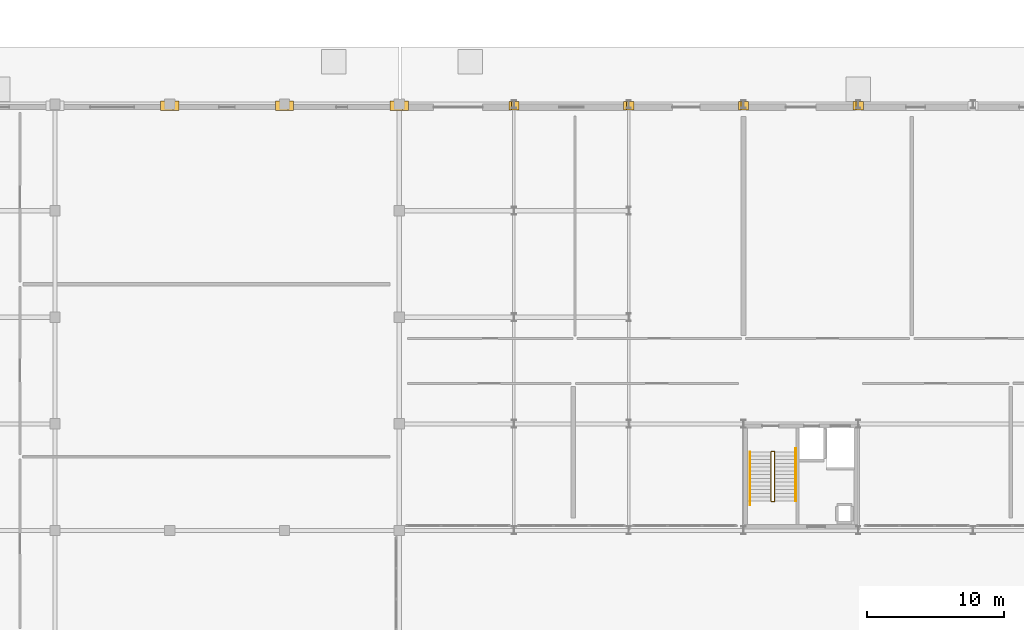
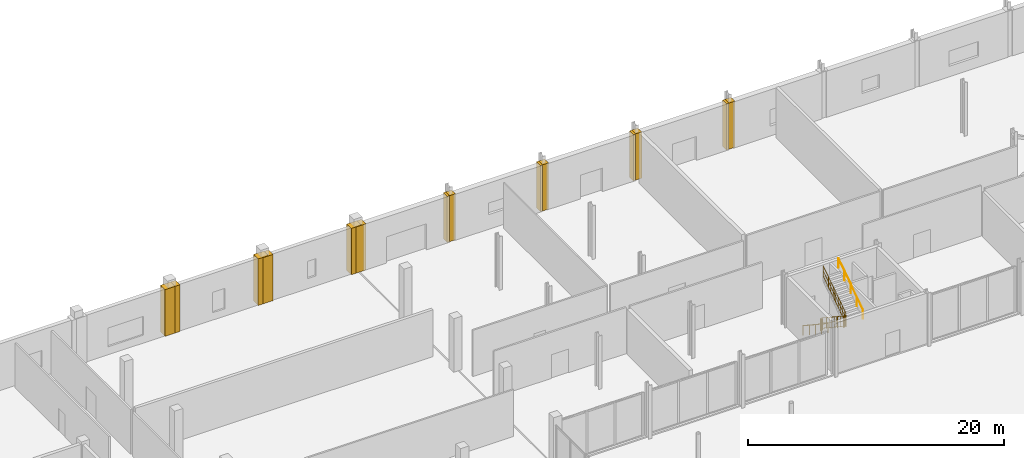
# One storey, part 73 of 80: 14 coverings, 6 railings.
"""IFC4 building model written with IfcOpenShell, lengths in metres."""

from ifc_helpers import new_model, si_unit, direction, frame, origin, origin_2d, place, context, subcontext, project, spatial, polyline, circle, outline, extrude, material, layer, layer_set, type_object, element, save


model = new_model("IFC4")

# Units and contexts
model_context = context("Model", 3, precision=1e-05, world=origin(), true_north=direction((0.0, 1.0)))
body_context = subcontext(model_context, "Body", "Model", "MODEL_VIEW")
ifc_project = project(units=[si_unit("LENGTHUNIT", "METRE"), si_unit("AREAUNIT", "SQUARE_METRE"), si_unit("VOLUMEUNIT", "CUBIC_METRE"), si_unit("PLANEANGLEUNIT", "RADIAN"), si_unit("MASSUNIT", "GRAM", prefix="KILO")], contexts=[model_context])

# Site, building, storey
site_placement = place(None, origin())
site = spatial("IfcSite", under=ifc_project, at=site_placement, CompositionType="ELEMENT")
building_placement = place(site_placement, origin())
building = spatial("IfcBuilding", under=site, at=building_placement, Name="Nabrawat Pavilion Hospital", CompositionType="ELEMENT")
storey_placement = place(building_placement, origin())
storey = spatial("IfcBuildingStorey", under=building, at=storey_placement, Name="L00", CompositionType="ELEMENT", Elevation=0.0)

# Coverings
ifc_material_1 = material(Name="Precast concrete C40/50", Category="concrete")
ifc_layer_1 = layer(ifc_material_1, 0.360107421875, Name="Precast concrete C40/50")
ifc_layer_set_1 = layer_set([ifc_layer_1], Name="Precast concrete C40/50")
covering_type = type_object("IfcCoveringType", Name="Architectural Precast Column-Jamb Closure Reveal", PredefinedType="CLADDING", material=ifc_layer_set_1)
covering_1_placement = place(storey_placement, origin())
element("IfcCovering", 1, at=covering_1_placement, inside=storey, type_object=covering_type, Name="L00 Precast Facade Column-Jamb Weatherseal Closure 0054", PredefinedType="CLADDING", context=body_context, shape_type="SweptSolid", body=[
    extrude(outline(polyline([(42.24365234375, 116.5361328125), (42.24365234375, 117.243896484375), (41.331298828125, 117.243896484375), (41.331298828125, 116.5361328125), (42.24365234375, 116.5361328125)])), origin(), (0.0, 0.0, 1.0), 4.449951171875),
])
covering_2_placement = place(storey_placement, origin())
element("IfcCovering", 2, at=covering_2_placement, inside=storey, type_object=covering_type, Name="L00 Precast Facade Column-Jamb Weatherseal Closure 0055", PredefinedType="CLADDING", context=body_context, shape_type="SweptSolid", body=[
    extrude(outline(polyline([(42.668701171875, 116.5361328125), (42.668701171875, 117.243896484375), (41.75634765625, 117.243896484375), (41.75634765625, 116.5361328125), (42.668701171875, 116.5361328125)])), origin(), (0.0, 0.0, 1.0), 4.449951171875),
])
covering_3_placement = place(storey_placement, origin())
element("IfcCovering", 3, at=covering_3_placement, inside=storey, type_object=covering_type, Name="L00 Precast Facade Column-Jamb Weatherseal Closure 0056", PredefinedType="CLADDING", context=body_context, shape_type="SweptSolid", body=[
    extrude(outline(polyline([(50.643798828125, 116.5361328125), (50.643798828125, 117.243896484375), (49.731201171875, 117.243896484375), (49.731201171875, 116.5361328125), (50.643798828125, 116.5361328125)])), origin(), (0.0, 0.0, 1.0), 4.449951171875),
])
covering_4_placement = place(storey_placement, origin())
element("IfcCovering", 4, at=covering_4_placement, inside=storey, type_object=covering_type, Name="L00 Precast Facade Column-Jamb Weatherseal Closure 0057", PredefinedType="CLADDING", context=body_context, shape_type="SweptSolid", body=[
    extrude(outline(polyline([(51.06884765625, 116.5361328125), (51.06884765625, 117.243896484375), (50.15625, 117.243896484375), (50.15625, 116.5361328125), (51.06884765625, 116.5361328125)])), origin(), (0.0, 0.0, 1.0), 4.409912109375),
])
covering_5_placement = place(storey_placement, origin())
element("IfcCovering", 5, at=covering_5_placement, inside=storey, type_object=covering_type, Name="L00 Precast Facade Column-Jamb Weatherseal Closure 0058", PredefinedType="CLADDING", context=body_context, shape_type="SweptSolid", body=[
    extrude(outline(polyline([(59.043701171875, 116.5361328125), (59.043701171875, 117.243896484375), (58.13134765625, 117.243896484375), (58.13134765625, 116.5361328125), (59.043701171875, 116.5361328125)])), origin(), (0.0, 0.0, 1.0), 4.409912109375),
])
covering_6_placement = place(storey_placement, origin())
element("IfcCovering", 6, at=covering_6_placement, inside=storey, type_object=covering_type, Name="L00 Precast Facade Column-Jamb Weatherseal Closure 0083", PredefinedType="CLADDING", context=body_context, shape_type="SweptSolid", body=[
    extrude(outline(polyline([(59.46875, 116.5361328125), (59.46875, 117.243896484375), (58.55615234375, 117.243896484375), (58.55615234375, 116.5361328125), (59.46875, 116.5361328125)])), origin(), (0.0, 0.0, 1.0), 4.39990234375),
])
covering_7_placement = place(storey_placement, origin())
element("IfcCovering", 7, at=covering_7_placement, inside=storey, type_object=covering_type, Name="L00 Precast Facade Column-Jamb Weatherseal Closure 0084", PredefinedType="CLADDING", context=body_context, shape_type="SweptSolid", body=[
    extrude(outline(polyline([(67.3798828125, 116.5849609375), (67.3798828125, 117.195068359375), (66.820068359375, 117.195068359375), (66.820068359375, 116.5849609375), (67.3798828125, 116.5849609375)])), origin(), (0.0, 0.0, 1.0), 4.39990234375),
])
covering_8_placement = place(storey_placement, origin())
element("IfcCovering", 8, at=covering_8_placement, inside=storey, type_object=covering_type, Name="L00 Precast Facade Column-Jamb Weatherseal Closure 0085", PredefinedType="CLADDING", context=body_context, shape_type="SweptSolid", body=[
    extrude(outline(polyline([(67.580078125, 116.5849609375), (67.580078125, 117.195068359375), (67.02001953125, 117.195068359375), (67.02001953125, 116.5849609375), (67.580078125, 116.5849609375)])), origin(), (0.0, 0.0, 1.0), 4.39990234375),
])
covering_9_placement = place(storey_placement, origin())
element("IfcCovering", 9, at=covering_9_placement, inside=storey, type_object=covering_type, Name="L00 Precast Facade Column-Jamb Weatherseal Closure 0086", PredefinedType="CLADDING", context=body_context, shape_type="SweptSolid", body=[
    extrude(outline(polyline([(75.780029296875, 116.5849609375), (75.780029296875, 117.195068359375), (75.219970703125, 117.195068359375), (75.219970703125, 116.5849609375), (75.780029296875, 116.5849609375)])), origin(), (0.0, 0.0, 1.0), 4.39990234375),
])
covering_10_placement = place(storey_placement, origin())
element("IfcCovering", 10, at=covering_10_placement, inside=storey, type_object=covering_type, Name="L00 Precast Facade Column-Jamb Weatherseal Closure 0087", PredefinedType="CLADDING", context=body_context, shape_type="SweptSolid", body=[
    extrude(outline(polyline([(75.97998046875, 116.5849609375), (75.97998046875, 117.195068359375), (75.419921875, 117.195068359375), (75.419921875, 116.5849609375), (75.97998046875, 116.5849609375)])), origin(), (0.0, 0.0, 1.0), 4.39990234375),
])
covering_11_placement = place(storey_placement, origin())
element("IfcCovering", 11, at=covering_11_placement, inside=storey, type_object=covering_type, Name="L00 Precast Facade Column-Jamb Weatherseal Closure 0088", PredefinedType="CLADDING", context=body_context, shape_type="SweptSolid", body=[
    extrude(outline(polyline([(84.179931640625, 116.5849609375), (84.179931640625, 117.195068359375), (83.6201171875, 117.195068359375), (83.6201171875, 116.5849609375), (84.179931640625, 116.5849609375)])), origin(), (0.0, 0.0, 1.0), 4.39990234375),
])
covering_12_placement = place(storey_placement, origin())
element("IfcCovering", 12, at=covering_12_placement, inside=storey, type_object=covering_type, Name="L00 Precast Facade Column-Jamb Weatherseal Closure 0089", PredefinedType="CLADDING", context=body_context, shape_type="SweptSolid", body=[
    extrude(outline(polyline([(84.3798828125, 116.5849609375), (84.3798828125, 117.195068359375), (83.820068359375, 117.195068359375), (83.820068359375, 116.5849609375), (84.3798828125, 116.5849609375)])), origin(), (0.0, 0.0, 1.0), 4.409912109375),
])
covering_13_placement = place(storey_placement, origin())
element("IfcCovering", 13, at=covering_13_placement, inside=storey, type_object=covering_type, Name="L00 Precast Facade Column-Jamb Weatherseal Closure 0090", PredefinedType="CLADDING", context=body_context, shape_type="SweptSolid", body=[
    extrude(outline(polyline([(92.580078125, 116.5849609375), (92.580078125, 117.195068359375), (92.02001953125, 117.195068359375), (92.02001953125, 116.5849609375), (92.580078125, 116.5849609375)])), origin(), (0.0, 0.0, 1.0), 4.409912109375),
])
covering_14_placement = place(storey_placement, origin())
element("IfcCovering", 14, at=covering_14_placement, inside=storey, type_object=covering_type, Name="L00 Precast Facade Column-Jamb Weatherseal Closure 0091", PredefinedType="CLADDING", context=body_context, shape_type="SweptSolid", body=[
    extrude(outline(polyline([(92.780029296875, 116.5849609375), (92.780029296875, 117.195068359375), (92.219970703125, 117.195068359375), (92.219970703125, 116.5849609375), (92.780029296875, 116.5849609375)])), origin(), (0.0, 0.0, 1.0), 4.409912109375),
])

# Railings
ifc_material_2 = material(Name="Stainless Steel 316", Category="steel")
ifc_layer_2 = layer(ifc_material_2, 0.050048828125, Name="Stainless Steel 316")
ifc_layer_set_2 = layer_set([ifc_layer_2], Name="Stainless Steel 316")
railing_type_1 = type_object("IfcRailingType", Name="Stair Open-Well Safety Guardrail 1100", PredefinedType="GUARDRAIL", material=ifc_layer_set_2)
railing_1_placement = place(storey_placement, frame((86.02490234375, 91.530029296875, 0.18212890625)))
element("IfcRailing", 15, at=railing_1_placement, inside=storey, type_object=railing_type_1, Name="L00 ST-03 stair guard 1", PredefinedType="GUARDRAIL", context=body_context, shape_type="SweptSolid", body=[
    extrude(circle(Radius=0.02392578125, at=origin_2d()), frame((0.0, 0.0, 1.076171875), z_axis=(0.0, -0.833702089047, 0.552214475289), x_axis=(1.0, 0.0, 0.0)), (0.0, 0.0, 1.0), 4.2880859375),
    extrude(circle(Radius=0.02392578125, at=origin_2d()), frame((0.0, 0.0, 0.10009765625), z_axis=(0.0, -0.833702089047, 0.552214475289), x_axis=(1.0, 0.0, 0.0)), (0.0, 0.0, 1.0), 4.2880859375),
    extrude(circle(Radius=0.02392578125, at=origin_2d()), frame((0.0, 0.0, 0.60498046875), z_axis=(0.0, -0.833702089047, 0.552214475289), x_axis=(1.0, 0.0, 0.0)), (0.0, 0.0, 1.0), 4.2880859375),
    extrude(circle(Radius=0.008056640625, at=origin_2d()), frame((0.0, -0.19873046875, 0.2314453125)), (0.0, 0.0, 1.0), 0.951904296875),
    extrude(circle(Radius=0.008056640625, at=origin_2d()), frame((0.0, -0.397216796875, 0.363037109375)), (0.0, 0.0, 1.0), 0.951904296875),
    extrude(circle(Radius=0.008056640625, at=origin_2d()), frame((0.0, -0.595703125, 0.49462890625)), (0.0, 0.0, 1.0), 0.951904296875),
    extrude(circle(Radius=0.008056640625, at=origin_2d()), frame((0.0, -0.79443359375, 0.626220703125)), (0.0, 0.0, 1.0), 0.951904296875),
    extrude(circle(Radius=0.008056640625, at=origin_2d()), frame((0.0, -0.9931640625, 0.7578125)), (0.0, 0.0, 1.0), 0.951904296875),
    extrude(circle(Radius=0.008056640625, at=origin_2d()), frame((0.0, -1.191650390625, 0.889404296875)), (0.0, 0.0, 1.0), 0.951904296875),
    extrude(circle(Radius=0.008056640625, at=origin_2d()), frame((0.0, -1.39013671875, 1.020751953125)), (0.0, 0.0, 1.0), 0.951904296875),
    extrude(circle(Radius=0.008056640625, at=origin_2d()), frame((0.0, -1.5888671875, 1.15234375)), (0.0, 0.0, 1.0), 0.951904296875),
    extrude(circle(Radius=0.008056640625, at=origin_2d()), frame((0.0, -1.986083984375, 1.41552734375)), (0.0, 0.0, 1.0), 0.951904296875),
    extrude(circle(Radius=0.008056640625, at=origin_2d()), frame((0.0, -2.1845703125, 1.547119140625)), (0.0, 0.0, 1.0), 0.951904296875),
    extrude(circle(Radius=0.008056640625, at=origin_2d()), frame((0.0, -2.38330078125, 1.6787109375)), (0.0, 0.0, 1.0), 0.951904296875),
    extrude(circle(Radius=0.008056640625, at=origin_2d()), frame((0.0, -2.58203125, 1.81005859375)), (0.0, 0.0, 1.0), 0.951904296875),
    extrude(circle(Radius=0.008056640625, at=origin_2d()), frame((0.0, -2.780517578125, 1.941650390625)), (0.0, 0.0, 1.0), 0.951904296875),
    extrude(circle(Radius=0.008056640625, at=origin_2d()), frame((0.0, -2.97900390625, 2.0732421875)), (0.0, 0.0, 1.0), 0.951904296875),
    extrude(circle(Radius=0.008056640625, at=origin_2d()), frame((0.0, -3.177734375, 2.204833984375)), (0.0, 0.0, 1.0), 0.951904296875),
    extrude(circle(Radius=0.008056640625, at=origin_2d()), frame((0.0, -3.37646484375, 2.33642578125)), (0.0, 0.0, 1.0), 0.951904296875),
    extrude(circle(Radius=0.02099609375, at=origin_2d()), origin(), (0.0, 0.0, 1.0), 1.052001953125),
    extrude(circle(Radius=0.02099609375, at=origin_2d()), frame((0.0, -0.893798828125, 0.592041015625)), (0.0, 0.0, 1.0), 1.052001953125),
    extrude(circle(Radius=0.02099609375, at=origin_2d()), frame((0.0, -1.78759765625, 1.18408203125)), (0.0, 0.0, 1.0), 1.052001953125),
    extrude(circle(Radius=0.02099609375, at=origin_2d()), frame((0.0, -2.68115234375, 1.77587890625)), (0.0, 0.0, 1.0), 1.052001953125),
    extrude(circle(Radius=0.02099609375, at=origin_2d()), frame((0.0, -3.574951171875, 2.367919921875)), (0.0, 0.0, 1.0), 1.052001953125),
])
railing_2_placement = place(storey_placement, frame((86.050048828125, 87.905029296875, 2.550048828125)))
element("IfcRailing", 16, at=railing_2_placement, inside=storey, type_object=railing_type_1, Name="L00 ST-03 stair guard 2", PredefinedType="GUARDRAIL", context=body_context, shape_type="SweptSolid", body=[
    extrude(circle(Radius=0.02392578125, at=origin_2d()), frame((0.0, 0.0, 1.076171875), z_axis=(1.0, 0.0, 0.0), x_axis=(0.0, 1.0, 0.0)), (0.0, 0.0, 1.0), 0.199951171875),
    extrude(circle(Radius=0.02392578125, at=origin_2d()), frame((0.0, 0.0, 0.10009765625), z_axis=(1.0, 0.0, 0.0), x_axis=(0.0, 1.0, 0.0)), (0.0, 0.0, 1.0), 0.199951171875),
    extrude(circle(Radius=0.02392578125, at=origin_2d()), frame((0.0, 0.0, 0.60498046875), z_axis=(1.0, 0.0, 0.0), x_axis=(0.0, 1.0, 0.0)), (0.0, 0.0, 1.0), 0.199951171875),
    extrude(circle(Radius=0.008056640625, at=origin_2d()), frame((0.10009765625, 0.0, 0.10009765625)), (0.0, 0.0, 1.0), 0.951904296875),
    extrude(circle(Radius=0.02099609375, at=origin_2d()), origin(), (0.0, 0.0, 1.0), 1.052001953125),
    extrude(circle(Radius=0.02099609375, at=origin_2d()), frame((0.199951171875, 0.0, 0.0)), (0.0, 0.0, 1.0), 1.052001953125),
])
railing_3_placement = place(storey_placement, frame((86.27490234375, 87.955078125, 2.732177734375)))
element("IfcRailing", 17, at=railing_3_placement, inside=storey, type_object=railing_type_1, Name="L00 ST-03 stair guard 3", PredefinedType="GUARDRAIL", context=body_context, shape_type="SweptSolid", body=[
    extrude(circle(Radius=0.02392578125, at=origin_2d()), frame((0.0, 0.0, 1.076171875), z_axis=(0.0, 0.833702089047, 0.552214475289), x_axis=(-1.0, 0.0, 0.0)), (0.0, 0.0, 1.0), 4.2880859375),
    extrude(circle(Radius=0.02392578125, at=origin_2d()), frame((0.0, 0.0, 0.10009765625), z_axis=(0.0, 0.833702089047, 0.552214475289), x_axis=(-1.0, 0.0, 0.0)), (0.0, 0.0, 1.0), 4.2880859375),
    extrude(circle(Radius=0.02392578125, at=origin_2d()), frame((0.0, 0.0, 0.60498046875), z_axis=(0.0, 0.833702089047, 0.552214475289), x_axis=(-1.0, 0.0, 0.0)), (0.0, 0.0, 1.0), 4.2880859375),
    extrude(circle(Radius=0.008056640625, at=origin_2d()), frame((0.0, 0.19873046875, 0.2314453125)), (0.0, 0.0, 1.0), 0.951904296875),
    extrude(circle(Radius=0.008056640625, at=origin_2d()), frame((0.0, 0.397216796875, 0.363037109375)), (0.0, 0.0, 1.0), 0.951904296875),
    extrude(circle(Radius=0.008056640625, at=origin_2d()), frame((0.0, 0.595703125, 0.49462890625)), (0.0, 0.0, 1.0), 0.951904296875),
    extrude(circle(Radius=0.008056640625, at=origin_2d()), frame((0.0, 0.79443359375, 0.626220703125)), (0.0, 0.0, 1.0), 0.951904296875),
    extrude(circle(Radius=0.008056640625, at=origin_2d()), frame((0.0, 0.9931640625, 0.7578125)), (0.0, 0.0, 1.0), 0.951904296875),
    extrude(circle(Radius=0.008056640625, at=origin_2d()), frame((0.0, 1.191650390625, 0.889404296875)), (0.0, 0.0, 1.0), 0.951904296875),
    extrude(circle(Radius=0.008056640625, at=origin_2d()), frame((0.0, 1.39013671875, 1.020751953125)), (0.0, 0.0, 1.0), 0.951904296875),
    extrude(circle(Radius=0.008056640625, at=origin_2d()), frame((0.0, 1.5888671875, 1.15234375)), (0.0, 0.0, 1.0), 0.951904296875),
    extrude(circle(Radius=0.008056640625, at=origin_2d()), frame((0.0, 1.986083984375, 1.41552734375)), (0.0, 0.0, 1.0), 0.951904296875),
    extrude(circle(Radius=0.008056640625, at=origin_2d()), frame((0.0, 2.1845703125, 1.547119140625)), (0.0, 0.0, 1.0), 0.951904296875),
    extrude(circle(Radius=0.008056640625, at=origin_2d()), frame((0.0, 2.38330078125, 1.6787109375)), (0.0, 0.0, 1.0), 0.951904296875),
    extrude(circle(Radius=0.008056640625, at=origin_2d()), frame((0.0, 2.58203125, 1.81005859375)), (0.0, 0.0, 1.0), 0.951904296875),
    extrude(circle(Radius=0.008056640625, at=origin_2d()), frame((0.0, 2.780517578125, 1.941650390625)), (0.0, 0.0, 1.0), 0.951904296875),
    extrude(circle(Radius=0.008056640625, at=origin_2d()), frame((0.0, 2.97900390625, 2.0732421875)), (0.0, 0.0, 1.0), 0.951904296875),
    extrude(circle(Radius=0.008056640625, at=origin_2d()), frame((0.0, 3.177734375, 2.204833984375)), (0.0, 0.0, 1.0), 0.951904296875),
    extrude(circle(Radius=0.008056640625, at=origin_2d()), frame((0.0, 3.37646484375, 2.33642578125)), (0.0, 0.0, 1.0), 0.951904296875),
    extrude(circle(Radius=0.02099609375, at=origin_2d()), origin(), (0.0, 0.0, 1.0), 1.052001953125),
    extrude(circle(Radius=0.02099609375, at=origin_2d()), frame((0.0, 0.893798828125, 0.592041015625)), (0.0, 0.0, 1.0), 1.052001953125),
    extrude(circle(Radius=0.02099609375, at=origin_2d()), frame((0.0, 1.78759765625, 1.18408203125)), (0.0, 0.0, 1.0), 1.052001953125),
    extrude(circle(Radius=0.02099609375, at=origin_2d()), frame((0.0, 2.68115234375, 1.77587890625)), (0.0, 0.0, 1.0), 1.052001953125),
    extrude(circle(Radius=0.02099609375, at=origin_2d()), frame((0.0, 3.574951171875, 2.367919921875)), (0.0, 0.0, 1.0), 1.052001953125),
])
railing_4_placement = place(storey_placement, frame((86.050048828125, 91.580078125, 0.0)))
element("IfcRailing", 18, at=railing_4_placement, inside=storey, type_object=railing_type_1, Name="L00 ST-03 stair guard 4", PredefinedType="GUARDRAIL", context=body_context, shape_type="SweptSolid", body=[
    extrude(circle(Radius=0.02392578125, at=origin_2d()), frame((0.0, 0.0, 1.076171875), z_axis=(1.0, 0.0, 0.0), x_axis=(0.0, 1.0, 0.0)), (0.0, 0.0, 1.0), 0.199951171875),
    extrude(circle(Radius=0.02392578125, at=origin_2d()), frame((0.0, 0.0, 0.10009765625), z_axis=(1.0, 0.0, 0.0), x_axis=(0.0, 1.0, 0.0)), (0.0, 0.0, 1.0), 0.199951171875),
    extrude(circle(Radius=0.02392578125, at=origin_2d()), frame((0.0, 0.0, 0.60498046875), z_axis=(1.0, 0.0, 0.0), x_axis=(0.0, 1.0, 0.0)), (0.0, 0.0, 1.0), 0.199951171875),
    extrude(circle(Radius=0.008056640625, at=origin_2d()), frame((0.10009765625, 0.0, 0.10009765625)), (0.0, 0.0, 1.0), 0.951904296875),
    extrude(circle(Radius=0.02099609375, at=origin_2d()), origin(), (0.0, 0.0, 1.0), 1.052001953125),
    extrude(circle(Radius=0.02099609375, at=origin_2d()), frame((0.199951171875, 0.0, 0.0)), (0.0, 0.0, 1.0), 1.052001953125),
])
ifc_layer_3 = layer(ifc_material_2, 0.044921875, Name="Stainless Steel 316")
ifc_layer_set_3 = layer_set([ifc_layer_3], Name="Stainless Steel 316")
railing_type_2 = type_object("IfcRailingType", Name="Stair Pitch Continuous Handrail 920", PredefinedType="HANDRAIL", material=ifc_layer_set_3)
railing_5_placement = place(storey_placement, frame((84.47509765625, 91.530029296875, 0.18603515625)))
element("IfcRailing", 19, at=railing_5_placement, inside=storey, type_object=railing_type_2, Name="L00 ST-03 stair handrail 1", PredefinedType="HANDRAIL", context=body_context, shape_type="SweptSolid", body=[
    extrude(circle(Radius=0.02392578125, at=origin_2d()), frame((0.0, 0.0, 0.89599609375), z_axis=(0.0, -0.833713881912, 0.552196670677), x_axis=(1.0, 0.0, 0.0)), (0.0, 0.0, 1.0), 4.617919921875),
    extrude(circle(Radius=0.02099609375, at=origin_2d()), origin(), (0.0, 0.0, 1.0), 0.871826171875),
    extrude(circle(Radius=0.02099609375, at=origin_2d()), frame((0.0, -0.96240234375, 0.637451171875)), (0.0, 0.0, 1.0), 0.871826171875),
    extrude(circle(Radius=0.02099609375, at=origin_2d()), frame((0.0, -1.925048828125, 1.27490234375)), (0.0, 0.0, 1.0), 0.871826171875),
    extrude(circle(Radius=0.02099609375, at=origin_2d()), frame((0.0, -2.8876953125, 1.91259765625)), (0.0, 0.0, 1.0), 0.871826171875),
    extrude(circle(Radius=0.02099609375, at=origin_2d()), frame((0.0, -3.85009765625, 2.550048828125)), (0.0, 0.0, 1.0), 0.871826171875),
])
railing_6_placement = place(storey_placement, frame((87.824951171875, 87.955078125, 2.736083984375)))
element("IfcRailing", 20, at=railing_6_placement, inside=storey, type_object=railing_type_2, Name="L00 ST-03 stair handrail 2", PredefinedType="HANDRAIL", context=body_context, shape_type="SweptSolid", body=[
    extrude(circle(Radius=0.02392578125, at=origin_2d()), frame((0.0, 0.0, 0.89599609375), z_axis=(0.0, 0.833697760554, 0.552221010146), x_axis=(-1.0, 0.0, 0.0)), (0.0, 0.0, 1.0), 4.617919921875),
    extrude(circle(Radius=0.02099609375, at=origin_2d()), origin(), (0.0, 0.0, 1.0), 0.871826171875),
    extrude(circle(Radius=0.02099609375, at=origin_2d()), frame((0.0, 0.96240234375, 0.637451171875)), (0.0, 0.0, 1.0), 0.871826171875),
    extrude(circle(Radius=0.02099609375, at=origin_2d()), frame((0.0, 1.9248046875, 1.27490234375)), (0.0, 0.0, 1.0), 0.871826171875),
    extrude(circle(Radius=0.02099609375, at=origin_2d()), frame((0.0, 2.887451171875, 1.91259765625)), (0.0, 0.0, 1.0), 0.871826171875),
    extrude(circle(Radius=0.02099609375, at=origin_2d()), frame((0.0, 3.849853515625, 2.550048828125)), (0.0, 0.0, 1.0), 0.871826171875),
])

save(model, "model.ifc")
